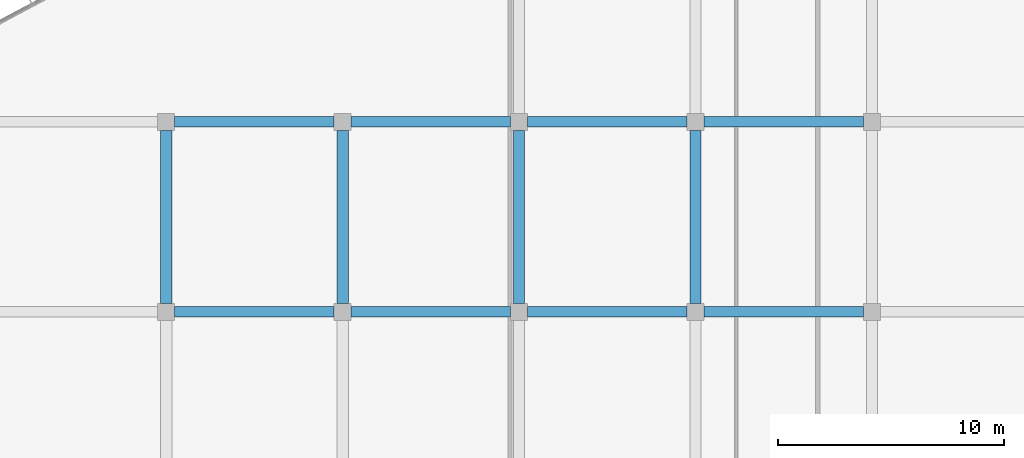
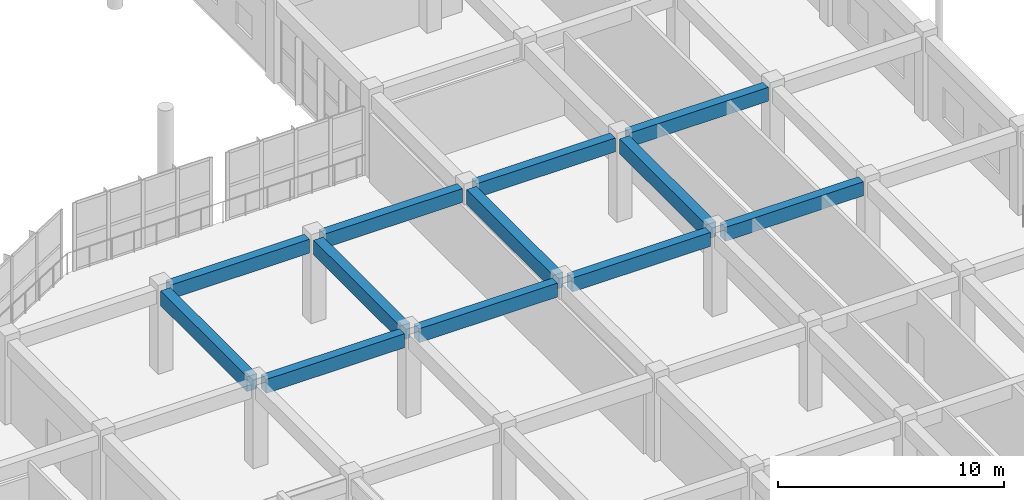
# One storey, part 60 of 175: 12 beams.
"""IFC4 building model written with IfcOpenShell, lengths in metres."""

from ifc_helpers import new_model, si_unit, direction, frame, origin, origin_2d, place, context, subcontext, project, spatial, rectangle, extrude, material, material_profile, profile_set, type_object, element, save


model = new_model("IFC4")

# Units and contexts
model_context = context("Model", 3, precision=1e-05, world=origin(), true_north=direction((0.0, 1.0)))
body_context = subcontext(model_context, "Body", "Model", "MODEL_VIEW")
ifc_project = project(units=[si_unit("LENGTHUNIT", "METRE"), si_unit("AREAUNIT", "SQUARE_METRE"), si_unit("VOLUMEUNIT", "CUBIC_METRE"), si_unit("PLANEANGLEUNIT", "RADIAN"), si_unit("MASSUNIT", "GRAM", prefix="KILO")], contexts=[model_context])

# Site, building, storey
site_placement = place(None, origin())
site = spatial("IfcSite", under=ifc_project, at=site_placement, CompositionType="ELEMENT")
building_placement = place(site_placement, origin())
building = spatial("IfcBuilding", under=site, at=building_placement, Name="Zizhar Promenade General Hospital", CompositionType="ELEMENT")
storey_placement = place(building_placement, frame((0.0, 0.0, 4.800048828125)))
storey = spatial("IfcBuildingStorey", under=building, at=storey_placement, Name="L01", CompositionType="ELEMENT", Elevation=4.800048828125)

# Beams
ifc_material_1 = material(Name="Concrete C35/45", Category="concrete")
ifc_material_profile_1 = material_profile(ifc_material_1, rectangle(XDim=0.449951171875, YDim=0.75, at=origin_2d()))
ifc_profile_set_1 = profile_set([ifc_material_profile_1], Name="Concrete C35/45")
beam_type_1 = type_object("IfcBeamType", Name="BM-RC-450x750", PredefinedType="BEAM", material=ifc_profile_set_1)
for number, where, z_axis, x_axis, name in (
    (1, (31.574951171875, 67.199951171875, 4.094970703125), (1.0, 0.0, 0.0), (0.0, 1.0, 0.0), "Grid Beam X L01 (4-8)"),
    (2, (31.574951171875, 75.60009765625, 4.094970703125), (1.0, 0.0, 0.0), (0.0, 1.0, 0.0), "Grid Beam X L01 (4-9)"),
    (3, (39.375, 67.199951171875, 4.094970703125), (1.0, 0.0, 0.0), (0.0, 1.0, 0.0), "Grid Beam X L01 (5-8)"),
    (4, (39.375, 75.60009765625, 4.094970703125), (1.0, 0.0, 0.0), (0.0, 1.0, 0.0), "Grid Beam X L01 (5-9)"),
    (5, (47.175048828125, 67.199951171875, 4.094970703125), (1.0, 0.0, 0.0), (0.0, 1.0, 0.0), "Grid Beam X L01 (6-8)"),
    (6, (47.175048828125, 75.60009765625, 4.094970703125), (1.0, 0.0, 0.0), (0.0, 1.0, 0.0), "Grid Beam X L01 (6-9)"),
):
    element("IfcBeam", number, at=place(storey_placement, frame(where, z_axis=z_axis, x_axis=x_axis)), inside=storey, type_object=beam_type_1, Name=name, PredefinedType="BEAM", context=body_context, shape_type="SweptSolid", body=[
        extrude(rectangle(XDim=0.449951171875, YDim=0.75, at=origin_2d()), origin(), (0.0, 0.0, 1.0), 7.050048828125),
    ])
for number, where, z_axis, x_axis, name in (
    (7, (54.97509765625, 67.199951171875, 4.094970703125), (1.0, 0.0, 0.0), (0.0, 1.0, 0.0), "Grid Beam X L01 (7-8)"),
    (8, (54.97509765625, 75.60009765625, 4.094970703125), (1.0, 0.0, 0.0), (0.0, 1.0, 0.0), "Grid Beam X L01 (7-9)"),
):
    element("IfcBeam", number, at=place(storey_placement, frame(where, z_axis=z_axis, x_axis=x_axis)), inside=storey, type_object=beam_type_1, Name=name, PredefinedType="BEAM", context=body_context, shape_type="SweptSolid", body=[
        extrude(rectangle(XDim=0.449951171875, YDim=0.75, at=origin_2d()), origin(), (0.0, 0.0, 1.0), 7.0498046875),
    ])
ifc_material_2 = material(Name="Concrete C35/45", Category="concrete")
ifc_material_profile_2 = material_profile(ifc_material_2, rectangle(XDim=0.5, YDim=0.800048828125, at=origin_2d()))
ifc_profile_set_2 = profile_set([ifc_material_profile_2], Name="Concrete C35/45")
beam_type_2 = type_object("IfcBeamType", Name="BM-RC-500x800", PredefinedType="BEAM", material=ifc_profile_set_2)
for number, where, z_axis, x_axis, name in (
    (9, (31.199951171875, 67.574951171875, 4.070068359375), (0.0, 1.0, 0.0), (-1.0, 0.0, 0.0), "Grid Beam Y L01 (4-8)"),
    (10, (39.0, 67.574951171875, 4.070068359375), (0.0, 1.0, 0.0), (-1.0, 0.0, 0.0), "Grid Beam Y L01 (5-8)"),
    (11, (46.800048828125, 67.574951171875, 4.070068359375), (0.0, 1.0, 0.0), (-1.0, 0.0, 0.0), "Grid Beam Y L01 (6-8)"),
    (12, (54.60009765625, 67.574951171875, 4.070068359375), (0.0, 1.0, 0.0), (-1.0, 0.0, 0.0), "Grid Beam Y L01 (7-8)"),
):
    element("IfcBeam", number, at=place(storey_placement, frame(where, z_axis=z_axis, x_axis=x_axis)), inside=storey, type_object=beam_type_2, Name=name, PredefinedType="BEAM", context=body_context, shape_type="SweptSolid", body=[
        extrude(rectangle(XDim=0.5, YDim=0.800048828125, at=origin_2d()), origin(), (0.0, 0.0, 1.0), 7.650146484375),
    ])

save(model, "model.ifc")
